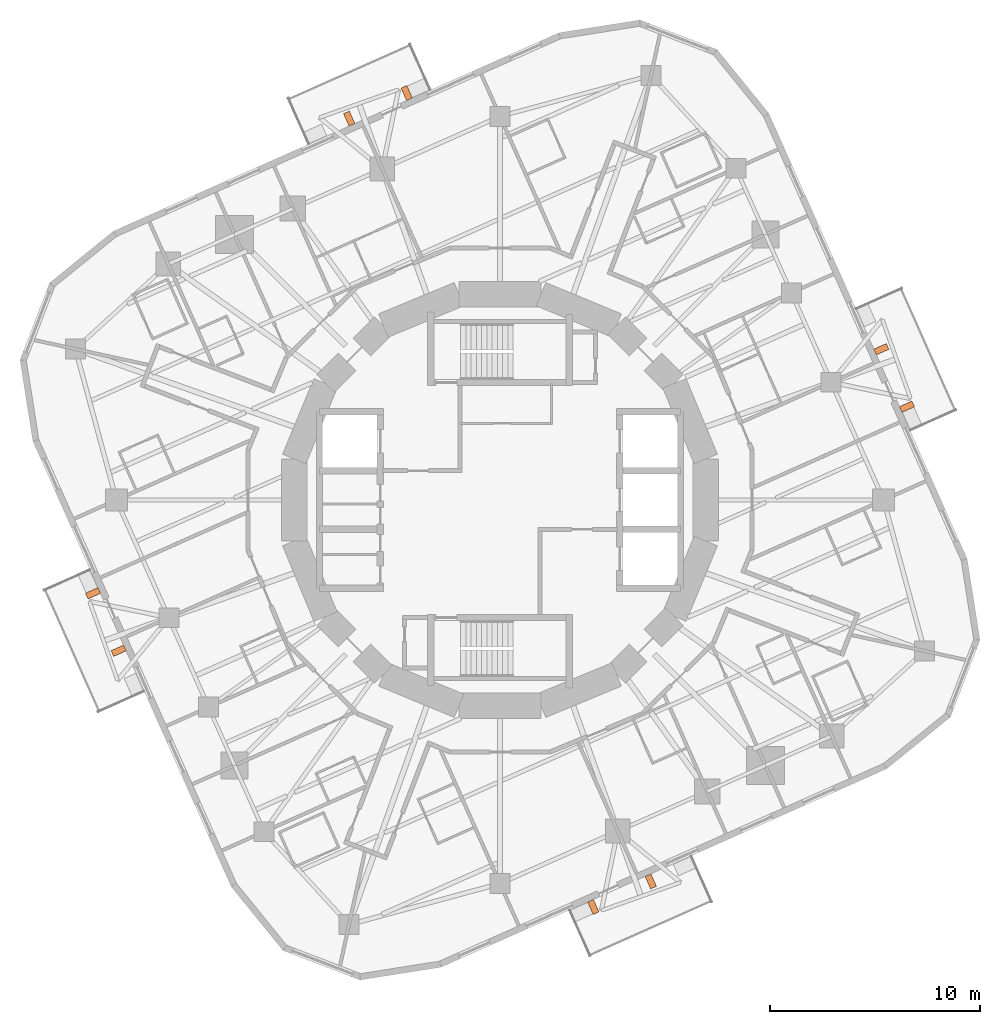
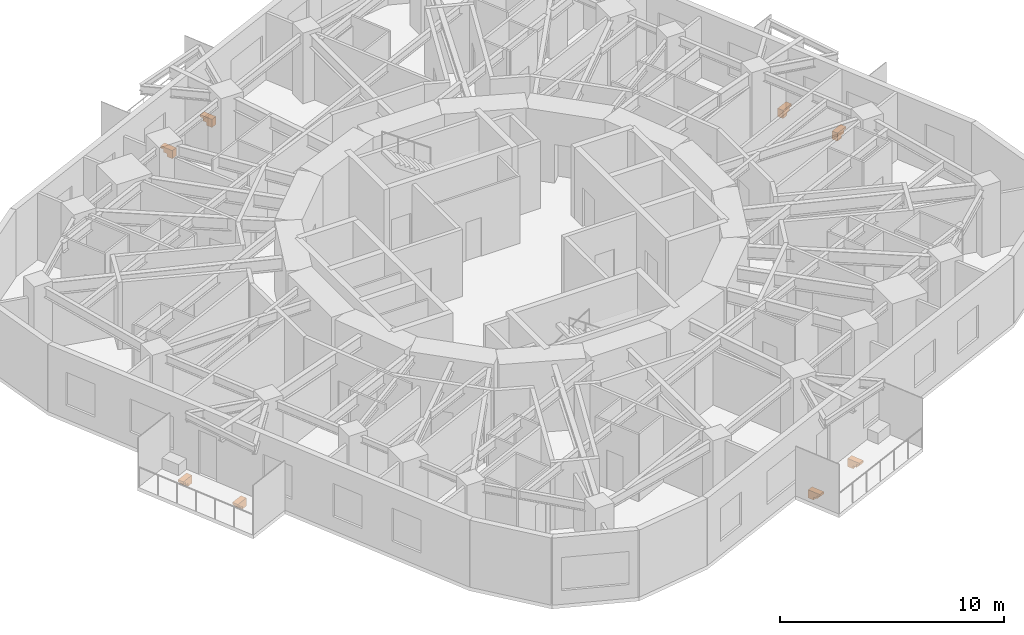
# One storey, part 12 of 12: 8 proxies.
"""IFC4 building model written with IfcOpenShell, lengths in metres."""

from ifc_helpers import new_model, si_unit, direction, frame, origin, place, context, subcontext, project, spatial, polyline, outline, extrude, material, type_object, element, save


model = new_model("IFC4")

# Units and contexts
model_context = context("Model", 3, precision=1e-05, world=origin(), true_north=direction((0.0, 1.0)))
body_context = subcontext(model_context, "Body", "Model", "MODEL_VIEW")
ifc_project = project(units=[si_unit("LENGTHUNIT", "METRE"), si_unit("AREAUNIT", "SQUARE_METRE"), si_unit("VOLUMEUNIT", "CUBIC_METRE"), si_unit("PLANEANGLEUNIT", "RADIAN"), si_unit("MASSUNIT", "GRAM", prefix="KILO")], contexts=[model_context])

# Site, building, storey
site_placement = place(None, origin())
site = spatial("IfcSite", under=ifc_project, at=site_placement, CompositionType="ELEMENT")
building_placement = place(site_placement, origin())
building = spatial("IfcBuilding", under=site, at=building_placement, Name="Nakasero Lantern House", CompositionType="ELEMENT")
storey_placement = place(building_placement, frame((0.0, 0.0, 197.85009765625)))
storey = spatial("IfcBuildingStorey", under=building, at=storey_placement, Name="L48", CompositionType="ELEMENT", Elevation=197.85009765625)

# Proxies
ifc_material = material(Name="Concrete C40/50 precast", Category="concrete")
building_element_proxy_type = type_object("IfcBuildingElementProxyType", Name="Balcony bracket 300", PredefinedType="USERDEFINED", material=ifc_material)
for number, where, z_axis, x_axis, name in (
    (1, (19.097412109375, 4.311767578125, -0.2001953125), (0.0, 0.0, 1.0), (0.913545458, 0.406736643, 0.0), "Balcony bracket L48 0A"),
    (2, (17.877197265625, 7.052490234375, -0.2001953125), (0.0, 0.0, 1.0), (0.913545458, 0.406736643, 0.0), "Balcony bracket L48 0B"),
    (3, (-4.311767578125, 19.097412109375, -0.2001953125), (0.0, 0.0, 1.0), (-0.406736643, 0.913545458, 0.0), "Balcony bracket L48 1A"),
    (4, (-7.052490234375, 17.877197265625, -0.2001953125), (0.0, 0.0, 1.0), (-0.406736643, 0.913545458, 0.0), "Balcony bracket L48 1B"),
    (5, (-19.097412109375, -4.311767578125, -0.2001953125), (0.0, 0.0, 1.0), (-0.913545458, -0.406736643, 0.0), "Balcony bracket L48 2A"),
    (6, (-17.877197265625, -7.052490234375, -0.2001953125), (0.0, 0.0, 1.0), (-0.913545458, -0.406736643, 0.0), "Balcony bracket L48 2B"),
    (7, (4.311767578125, -19.097412109375, -0.2001953125), (0.0, 0.0, 1.0), (0.406736643, -0.913545458, 0.0), "Balcony bracket L48 3A"),
    (8, (7.052490234375, -17.877197265625, -0.2001953125), (0.0, 0.0, 1.0), (0.406736643, -0.913545458, 0.0), "Balcony bracket L48 3B"),
):
    element("IfcBuildingElementProxy", number, at=place(storey_placement, frame(where, z_axis=z_axis, x_axis=x_axis)), inside=storey, type_object=building_element_proxy_type, Name=name, ObjectType="BALCONY BRACKET", PredefinedType="USERDEFINED", context=body_context, shape_type="SweptSolid", body=[
        extrude(outline(polyline([(0.0, 0.0), (0.64990234375, 0.0), (0.64990234375, -0.1201171875), (0.5, -0.1201171875), (0.5, -0.280029296875), (0.300048828125, -0.280029296875), (0.300048828125, -0.43994140625), (0.0, -0.43994140625), (0.0, 0.0)])), frame((0.0, 0.14990234375, 0.0), z_axis=(0.0, -1.0, 0.0), x_axis=(1.0, 0.0, 0.0)), (0.0, 0.0, 1.0), 0.300048828125),
    ])

save(model, "model.ifc")
